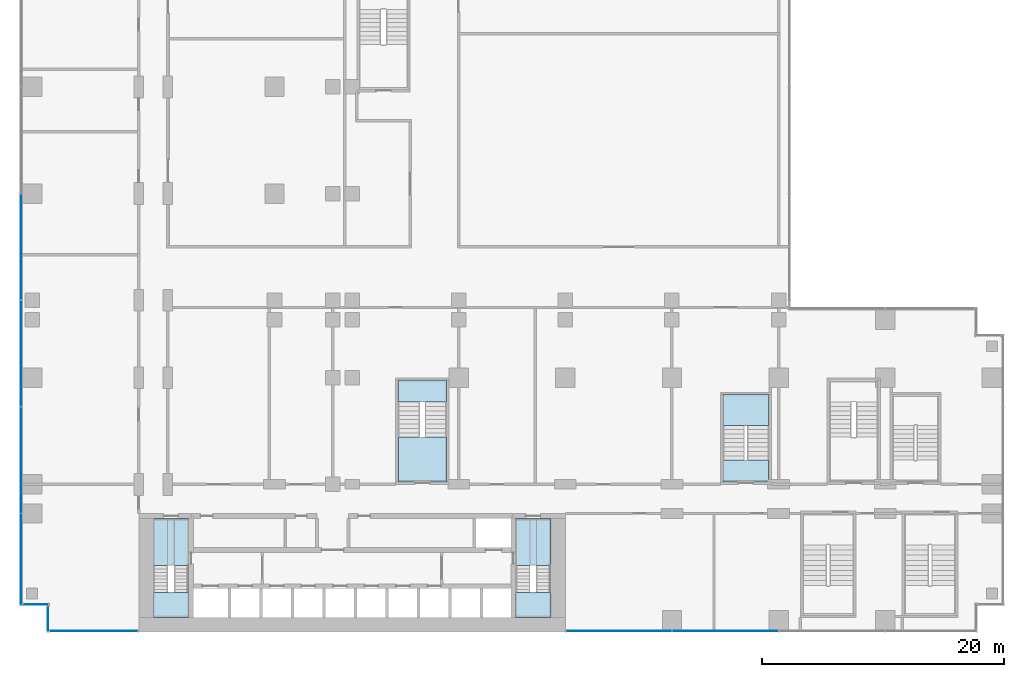
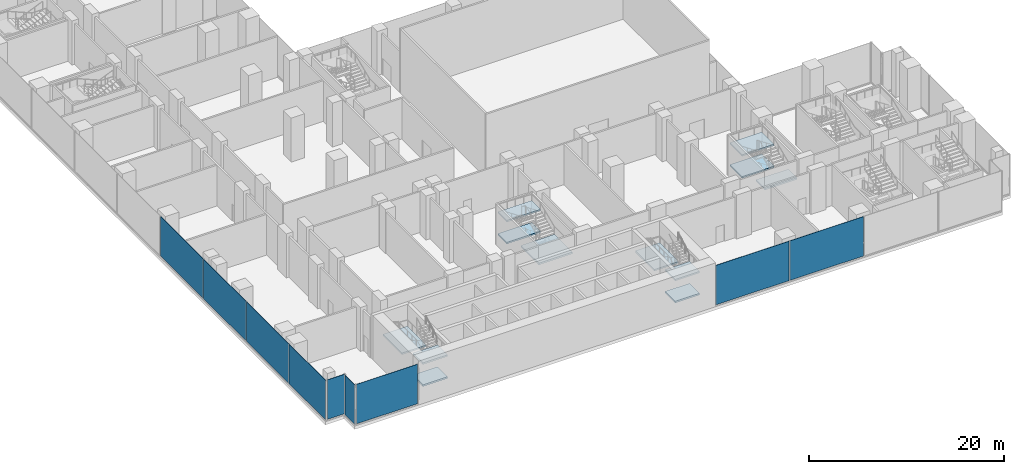
# One storey, part 12 of 30: 12 slabs, 9 plates, 9 elements without a shape of their own.
"""IFC4 building model written with IfcOpenShell, lengths in metres."""

from ifc_helpers import new_model, si_unit, direction, frame, origin, origin_2d, place, context, subcontext, project, spatial, polyline, rectangle, outline, extrude, source, transform, mapped, material, layer, layer_set, type_object, element, aggregate, save


model = new_model("IFC4")

# Units and contexts
model_context = context("Model", 3, precision=1e-05, world=origin(), true_north=direction((0.0, 1.0)))
body_context = subcontext(model_context, "Body", "Model", "MODEL_VIEW")
ifc_project = project(units=[si_unit("LENGTHUNIT", "METRE"), si_unit("AREAUNIT", "SQUARE_METRE"), si_unit("VOLUMEUNIT", "CUBIC_METRE"), si_unit("PLANEANGLEUNIT", "RADIAN"), si_unit("MASSUNIT", "GRAM", prefix="KILO")], contexts=[model_context])

# Site, building, storey
site_placement = place(None, origin())
site = spatial("IfcSite", under=ifc_project, at=site_placement, CompositionType="ELEMENT")
building_placement = place(site_placement, origin())
building = spatial("IfcBuilding", under=site, at=building_placement, Name="Kemantara Hotel Tower", CompositionType="ELEMENT")
storey_placement = place(building_placement, frame((0.0, 0.0, 18.0)))
storey = spatial("IfcBuildingStorey", under=building, at=storey_placement, Name="L03", CompositionType="ELEMENT", Elevation=18.0)

# Stair, slabs
ifc_material_1 = material(Name="Concrete fc 40 MPa", Category="concrete")
stair_type_1 = type_object("IfcStairType", Name="Stair 1200 wide 36 risers of 153 x 280 mm", PredefinedType="HALF_TURN_STAIR", material=ifc_material_1)
stair_1_placement = place(storey_placement, origin())
stair_1 = element("IfcStair", 1, at=stair_1_placement, inside=storey, type_object=stair_type_1, Name="L03 Exit stair ST1", PredefinedType="HALF_TURN_STAIR")
ifc_layer_1 = layer(ifc_material_1, 0.199951171875)
ifc_layer_set_1 = layer_set([ifc_layer_1], Name="Concrete fc 40 MPa")
slab_type = type_object("IfcSlabType", Name="Stair landing 200 mm", PredefinedType="LANDING", material=ifc_layer_set_1)
slab_1_placement = place(storey_placement, frame((0.0, 0.0, 1.175048828125)))
slab_1 = element("IfcSlab", 2, at=slab_1_placement, type_object=slab_type, Name="ST1 landing 1", PredefinedType="LANDING", context=body_context, shape_type="SweptSolid", body=[
    extrude(outline(polyline([(11.0, 3.260009765625), (11.0, 1.199951171875), (13.89990234375, 1.199951171875), (13.89990234375, 3.260009765625), (11.0, 3.260009765625)])), origin(), (0.0, 0.0, 1.0), 0.199951171875),
])
slab_2_placement = place(storey_placement, frame((0.0, 0.0, 2.550048828125)))
slab_2 = element("IfcSlab", 3, at=slab_2_placement, type_object=slab_type, Name="ST1 landing 2", PredefinedType="LANDING", context=body_context, shape_type="SweptSolid", body=[
    extrude(outline(polyline([(11.0, 9.39990234375), (11.0, 5.5), (13.89990234375, 5.5), (13.89990234375, 9.39990234375), (11.0, 9.39990234375)])), origin(), (0.0, 0.0, 1.0), 0.199951171875),
])
slab_3_placement = place(storey_placement, frame((0.0, 0.0, 3.925048828125)))
slab_3 = element("IfcSlab", 4, at=slab_3_placement, type_object=slab_type, Name="ST1 landing 3", PredefinedType="LANDING", context=body_context, shape_type="SweptSolid", body=[
    extrude(outline(polyline([(11.0, 3.260009765625), (11.0, 1.199951171875), (13.89990234375, 1.199951171875), (13.89990234375, 3.260009765625), (11.0, 3.260009765625)])), origin(), (0.0, 0.0, 1.0), 0.199951171875),
])
aggregate(stair_1, [slab_1, slab_2, slab_3])

stair_2_placement = place(storey_placement, origin())
stair_2 = element("IfcStair", 5, at=stair_2_placement, inside=storey, type_object=stair_type_1, Name="L03 Exit stair ST2", PredefinedType="HALF_TURN_STAIR")
slab_4_placement = place(storey_placement, frame((0.0, 0.0, 1.175048828125)))
slab_4 = element("IfcSlab", 6, at=slab_4_placement, type_object=slab_type, Name="ST2 landing 1", PredefinedType="LANDING", context=body_context, shape_type="SweptSolid", body=[
    extrude(outline(polyline([(40.89990234375, 3.260009765625), (40.89990234375, 1.199951171875), (43.800048828125, 1.199951171875), (43.800048828125, 3.260009765625), (40.89990234375, 3.260009765625)])), origin(), (0.0, 0.0, 1.0), 0.199951171875),
])
slab_5_placement = place(storey_placement, frame((0.0, 0.0, 2.550048828125)))
slab_5 = element("IfcSlab", 7, at=slab_5_placement, type_object=slab_type, Name="ST2 landing 2", PredefinedType="LANDING", context=body_context, shape_type="SweptSolid", body=[
    extrude(outline(polyline([(40.89990234375, 9.39990234375), (40.89990234375, 5.5), (43.800048828125, 5.5), (43.800048828125, 9.39990234375), (40.89990234375, 9.39990234375)])), origin(), (0.0, 0.0, 1.0), 0.199951171875),
])
slab_6_placement = place(storey_placement, frame((0.0, 0.0, 3.925048828125)))
slab_6 = element("IfcSlab", 8, at=slab_6_placement, type_object=slab_type, Name="ST2 landing 3", PredefinedType="LANDING", context=body_context, shape_type="SweptSolid", body=[
    extrude(outline(polyline([(40.89990234375, 3.260009765625), (40.89990234375, 1.199951171875), (43.800048828125, 1.199951171875), (43.800048828125, 3.260009765625), (40.89990234375, 3.260009765625)])), origin(), (0.0, 0.0, 1.0), 0.199951171875),
])
aggregate(stair_2, [slab_4, slab_5, slab_6])

stair_type_2 = type_object("IfcStairType", Name="Stair 1800 wide 36 risers of 153 x 360 mm", PredefinedType="HALF_TURN_STAIR", material=ifc_material_1)
stair_3_placement = place(storey_placement, origin())
stair_3 = element("IfcStair", 9, at=stair_3_placement, inside=storey, type_object=stair_type_2, Name="L03 Exit stair ST3", PredefinedType="HALF_TURN_STAIR")
slab_7_placement = place(storey_placement, frame((0.0, 0.0, 1.175048828125)))
slab_7 = element("IfcSlab", 10, at=slab_7_placement, type_object=slab_type, Name="ST3 landing 1", PredefinedType="LANDING", context=body_context, shape_type="SweptSolid", body=[
    extrude(outline(polyline([(61.800048828125, 17.080078125), (61.800048828125, 19.60009765625), (58.0, 19.60009765625), (58.0, 17.080078125), (61.800048828125, 17.080078125)])), origin(), (0.0, 0.0, 1.0), 0.199951171875),
])
slab_8_placement = place(storey_placement, frame((0.0, 0.0, 2.550048828125)))
slab_8 = element("IfcSlab", 11, at=slab_8_placement, type_object=slab_type, Name="ST3 landing 2", PredefinedType="LANDING", context=body_context, shape_type="SweptSolid", body=[
    extrude(outline(polyline([(61.800048828125, 12.39990234375), (61.800048828125, 14.199951171875), (58.0, 14.199951171875), (58.0, 12.39990234375), (61.800048828125, 12.39990234375)])), origin(), (0.0, 0.0, 1.0), 0.199951171875),
])
slab_9_placement = place(storey_placement, frame((0.0, 0.0, 3.925048828125)))
slab_9 = element("IfcSlab", 12, at=slab_9_placement, type_object=slab_type, Name="ST3 landing 3", PredefinedType="LANDING", context=body_context, shape_type="SweptSolid", body=[
    extrude(outline(polyline([(61.800048828125, 17.080078125), (61.800048828125, 19.60009765625), (58.0, 19.60009765625), (58.0, 17.080078125), (61.800048828125, 17.080078125)])), origin(), (0.0, 0.0, 1.0), 0.199951171875),
])
aggregate(stair_3, [slab_7, slab_8, slab_9])

stair_4_placement = place(storey_placement, origin())
stair_4 = element("IfcStair", 13, at=stair_4_placement, inside=storey, type_object=stair_type_2, Name="L03 Stair PS3", PredefinedType="HALF_TURN_STAIR")
slab_10_placement = place(storey_placement, frame((0.0, 0.0, 1.175048828125)))
slab_10 = element("IfcSlab", 14, at=slab_10_placement, type_object=slab_type, Name="PS3 landing 1", PredefinedType="LANDING", context=body_context, shape_type="SweptSolid", body=[
    extrude(outline(polyline([(35.199951171875, 18.97998046875), (35.199951171875, 20.800048828125), (31.199951171875, 20.800048828125), (31.199951171875, 18.97998046875), (35.199951171875, 18.97998046875)])), origin(), (0.0, 0.0, 1.0), 0.199951171875),
])
slab_11_placement = place(storey_placement, frame((0.0, 0.0, 2.550048828125)))
slab_11 = element("IfcSlab", 15, at=slab_11_placement, type_object=slab_type, Name="PS3 landing 2", PredefinedType="LANDING", context=body_context, shape_type="SweptSolid", body=[
    extrude(outline(polyline([(35.199951171875, 12.39990234375), (35.199951171875, 16.10009765625), (31.199951171875, 16.10009765625), (31.199951171875, 12.39990234375), (35.199951171875, 12.39990234375)])), origin(), (0.0, 0.0, 1.0), 0.199951171875),
])
slab_12_placement = place(storey_placement, frame((0.0, 0.0, 3.925048828125)))
slab_12 = element("IfcSlab", 16, at=slab_12_placement, type_object=slab_type, Name="PS3 landing 3", PredefinedType="LANDING", context=body_context, shape_type="SweptSolid", body=[
    extrude(outline(polyline([(35.199951171875, 18.97998046875), (35.199951171875, 20.800048828125), (31.199951171875, 20.800048828125), (31.199951171875, 18.97998046875), (35.199951171875, 18.97998046875)])), origin(), (0.0, 0.0, 1.0), 0.199951171875),
])
aggregate(stair_4, [slab_10, slab_11, slab_12])

# Curtain wall, plate
ifc_material_2 = material(Name="Laminated tinted insulated glass 44 mm", Category="glass")
curtain_wall_type = type_object("IfcCurtainWallType", Name="PODIUM GLASS CURTAIN WALL", PredefinedType="USERDEFINED", material=ifc_material_2)
curtain_wall_1_placement = place(storey_placement, origin())
curtain_wall_1 = element("IfcCurtainWall", 17, at=curtain_wall_1_placement, inside=storey, type_object=curtain_wall_type, Name="CW1 L03 POD-R01-1", ObjectType="PODIUM GLASS CURTAIN WALL", PredefinedType="USERDEFINED")
ifc_layer_2 = layer(ifc_material_2, 0.0439453125)
ifc_layer_set_2 = layer_set([ifc_layer_2], Name="Laminated tinted insulated glass 44 mm")
plate_type = type_object("IfcPlateType", Name="PODIUM GLASS CURTAIN WALL PANEL", PredefinedType="CURTAIN_PANEL", material=ifc_layer_set_2)
shared_shape_1 = source(origin(), body_context, "Body", "SweptSolid", [
    extrude(rectangle(XDim=7.25, YDim=0.0439453125, at=origin_2d()), origin(), (0.0, 0.0, 1.0), 4.949951171875),
])
plate_1_placement = place(storey_placement, frame((6.10009765625, 0.10009765625, 0.14990234375), z_axis=(0.0, 0.0, 1.0), x_axis=(1.0, 0.0, 0.0)))
plate_1 = element("IfcPlate", 18, at=plate_1_placement, type_object=plate_type, Name="CW1 glass panel POD-R01-1.1", PredefinedType="CURTAIN_PANEL", context=body_context, shape_type="MappedRepresentation", body=[
    mapped(shared_shape_1, transform((0.0, 0.0, 0.0))),
])
aggregate(curtain_wall_1, [plate_1])

# Curtain wall, plates
curtain_wall_2_placement = place(storey_placement, origin())
curtain_wall_2 = element("IfcCurtainWall", 19, at=curtain_wall_2_placement, inside=storey, type_object=curtain_wall_type, Name="CW1 L03 POD-R01-2", ObjectType="PODIUM GLASS CURTAIN WALL", PredefinedType="USERDEFINED")
shared_shape_2 = source(origin(), body_context, "Body", "SweptSolid", [
    extrude(rectangle(XDim=8.6875, YDim=0.0439453125, at=origin_2d()), origin(), (0.0, 0.0, 1.0), 4.949951171875),
])
plate_2_placement = place(storey_placement, frame((49.418701171875, 0.10009765625, 0.14990234375), z_axis=(0.0, 0.0, 1.0), x_axis=(1.0, 0.0, 0.0)))
plate_2 = element("IfcPlate", 20, at=plate_2_placement, type_object=plate_type, Name="CW1 glass panel POD-R01-2.1", PredefinedType="CURTAIN_PANEL", context=body_context, shape_type="MappedRepresentation", body=[
    mapped(shared_shape_2, transform((0.0, 0.0, 0.0))),
])
shared_shape_3 = source(origin(), body_context, "Body", "SweptSolid", [
    extrude(rectangle(XDim=8.72509765625, YDim=0.0439453125, at=origin_2d()), origin(), (0.0, 0.0, 1.0), 4.949951171875),
])
plate_3_placement = place(storey_placement, frame((58.199951171875, 0.10009765625, 0.14990234375), z_axis=(0.0, 0.0, 1.0), x_axis=(1.0, 0.0, 0.0)))
plate_3 = element("IfcPlate", 21, at=plate_3_placement, type_object=plate_type, Name="CW1 glass panel POD-R01-2.2", PredefinedType="CURTAIN_PANEL", context=body_context, shape_type="MappedRepresentation", body=[
    mapped(shared_shape_3, transform((0.0, 0.0, 0.0))),
])
aggregate(curtain_wall_2, [plate_2, plate_3])

curtain_wall_3_placement = place(storey_placement, origin())
curtain_wall_3 = element("IfcCurtainWall", 22, at=curtain_wall_3_placement, inside=storey, type_object=curtain_wall_type, Name="CW1 L03 POD-R16-1", ObjectType="PODIUM GLASS CURTAIN WALL", PredefinedType="USERDEFINED")
plate_4_placement = place(storey_placement, frame((0.10009765625, 31.800048828125, 0.14990234375), z_axis=(0.0, 0.0, 1.0), x_axis=(0.0, -1.0, 0.0)))
plate_4 = element("IfcPlate", 23, at=plate_4_placement, type_object=plate_type, Name="CW1 glass panel POD-R16-1.6", PredefinedType="CURTAIN_PANEL", context=body_context, shape_type="MappedRepresentation", body=[
    mapped(shared_shape_3, transform((0.0, 0.0, 0.0))),
])
plate_5_placement = place(storey_placement, frame((0.10009765625, 23.0, 0.14990234375), z_axis=(0.0, 0.0, 1.0), x_axis=(0.0, -1.0, 0.0)))
plate_5 = element("IfcPlate", 24, at=plate_5_placement, type_object=plate_type, Name="CW1 glass panel POD-R16-1.7", PredefinedType="CURTAIN_PANEL", context=body_context, shape_type="MappedRepresentation", body=[
    mapped(shared_shape_3, transform((0.0, 0.0, 0.0))),
])
plate_6_placement = place(storey_placement, frame((0.10009765625, 14.199951171875, 0.14990234375), z_axis=(0.0, 0.0, 1.0), x_axis=(0.0, -1.0, 0.0)))
plate_6 = element("IfcPlate", 25, at=plate_6_placement, type_object=plate_type, Name="CW1 glass panel POD-R16-1.8", PredefinedType="CURTAIN_PANEL", context=body_context, shape_type="MappedRepresentation", body=[
    mapped(shared_shape_3, transform((0.0, 0.0, 0.0))),
])
shared_shape_4 = source(origin(), body_context, "Body", "SweptSolid", [
    extrude(rectangle(XDim=7.487548828125, YDim=0.0439453125, at=origin_2d()), origin(), (0.0, 0.0, 1.0), 4.949951171875),
])
plate_7_placement = place(storey_placement, frame((0.10009765625, 6.018798828125, 0.14990234375), z_axis=(0.0, 0.0, 1.0), x_axis=(0.0, -1.0, 0.0)))
plate_7 = element("IfcPlate", 26, at=plate_7_placement, type_object=plate_type, Name="CW1 glass panel POD-R16-1.9", PredefinedType="CURTAIN_PANEL", context=body_context, shape_type="MappedRepresentation", body=[
    mapped(shared_shape_4, transform((0.0, 0.0, 0.0))),
])
aggregate(curtain_wall_3, [plate_4, plate_5, plate_6, plate_7])

# Curtain wall, plate
curtain_wall_4_placement = place(storey_placement, origin())
curtain_wall_4 = element("IfcCurtainWall", 27, at=curtain_wall_4_placement, inside=storey, type_object=curtain_wall_type, Name="CW1 L03 POD-R00-1", ObjectType="PODIUM GLASS CURTAIN WALL", PredefinedType="USERDEFINED")
shared_shape_5 = source(origin(), body_context, "Body", "SweptSolid", [
    extrude(rectangle(XDim=2.050048828125, YDim=0.0439453125, at=origin_2d()), origin(), (0.0, 0.0, 1.0), 4.949951171875),
])
plate_8_placement = place(storey_placement, frame((2.300048828125, 1.10009765625, 0.14990234375), z_axis=(0.0, 0.0, 1.0), x_axis=(0.0, -1.0, 0.0)))
plate_8 = element("IfcPlate", 28, at=plate_8_placement, type_object=plate_type, Name="CW1 glass panel POD-R00-1.1", PredefinedType="CURTAIN_PANEL", context=body_context, shape_type="MappedRepresentation", body=[
    mapped(shared_shape_5, transform((0.0, 0.0, 0.0))),
])
aggregate(curtain_wall_4, [plate_8])

curtain_wall_5_placement = place(storey_placement, origin())
curtain_wall_5 = element("IfcCurtainWall", 29, at=curtain_wall_5_placement, inside=storey, type_object=curtain_wall_type, Name="CW1 L03 POD-R17-1", ObjectType="PODIUM GLASS CURTAIN WALL", PredefinedType="USERDEFINED")
plate_9_placement = place(storey_placement, frame((1.300048828125, 2.300048828125, 0.14990234375), z_axis=(0.0, 0.0, 1.0), x_axis=(1.0, 0.0, 0.0)))
plate_9 = element("IfcPlate", 30, at=plate_9_placement, type_object=plate_type, Name="CW1 glass panel POD-R17-1.1", PredefinedType="CURTAIN_PANEL", context=body_context, shape_type="MappedRepresentation", body=[
    mapped(shared_shape_5, transform((0.0, 0.0, 0.0))),
])
aggregate(curtain_wall_5, [plate_9])

save(model, "model.ifc")
